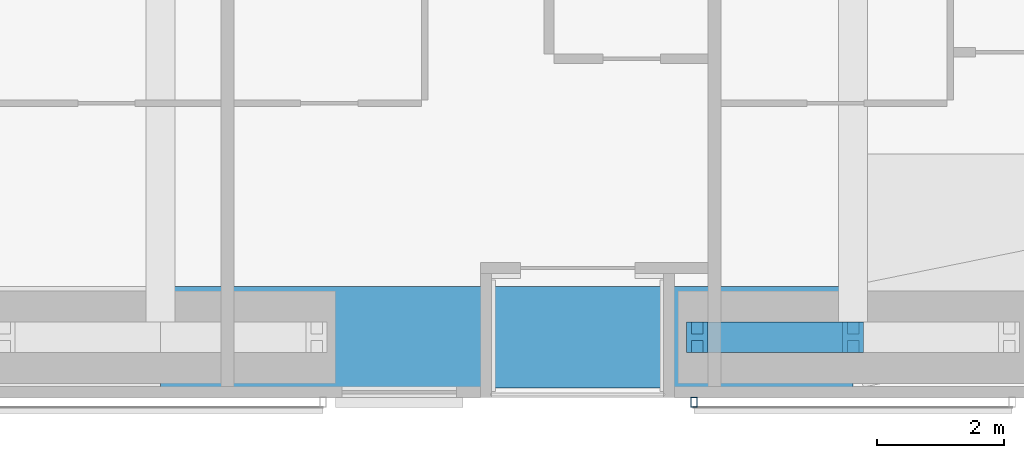
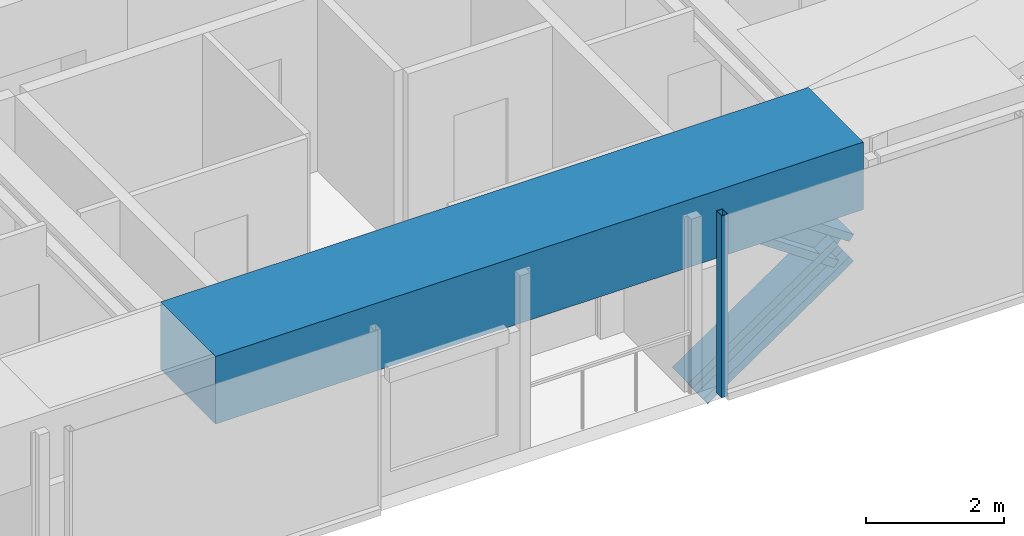
# One storey, part 6 of 25: 3 members, 1 beam, 1 element without a shape of its own.
"""IFC4 building model written with IfcOpenShell, lengths in metres."""

from ifc_helpers import new_model, si_unit, direction, frame, origin, origin_2d, place, context, subcontext, project, spatial, rectangle, hollow_rectangle, i_section, extrude, material, material_profile, profile_set, type_object, element, aggregate, save


model = new_model("IFC4")

# Units and contexts
model_context = context("Model", 3, precision=1e-05, world=origin(), true_north=direction((0.0, 1.0)))
body_context = subcontext(model_context, "Body", "Model", "MODEL_VIEW")
ifc_project = project(units=[si_unit("LENGTHUNIT", "METRE"), si_unit("AREAUNIT", "SQUARE_METRE"), si_unit("VOLUMEUNIT", "CUBIC_METRE"), si_unit("PLANEANGLEUNIT", "RADIAN"), si_unit("MASSUNIT", "GRAM", prefix="KILO")], contexts=[model_context])

# Site, building, storey
site_placement = place(None, origin())
site = spatial("IfcSite", under=ifc_project, at=site_placement, CompositionType="ELEMENT")
building_placement = place(site_placement, origin())
building = spatial("IfcBuilding", under=site, at=building_placement, Name="Jalousie Tower", CompositionType="ELEMENT")
storey_placement = place(building_placement, frame((0.0, 0.0, 101.5)))
storey = spatial("IfcBuildingStorey", under=building, at=storey_placement, Name="L27", CompositionType="ELEMENT", Elevation=101.5)

# Members
ifc_material_1 = material(Name="Steel ASTM A992 Grade 50", Category="steel")
ifc_material_profile_1 = material_profile(ifc_material_1, i_section(OverallWidth=0.472412109375, OverallDepth=0.5791015625, WebThickness=0.094970703125, FlangeThickness=0.1298828125, at=origin_2d()), Name="W14X808")
ifc_profile_set_1 = profile_set([ifc_material_profile_1], Name="Steel ASTM A992 Grade 50")
member_type_1 = type_object("IfcMemberType", Name="PERIMETER BRACE W14X808", PredefinedType="BRACE", material=ifc_profile_set_1)
for number, where, z_axis, x_axis, name in (
    (1, (36.175048828125, 0.949951171875, -0.60009765625), (0.825500916831, 0.0, 0.564400776321), (0.0, 1.0, 0.0), "Perimeter brace 04 L27 part 1"),
    (2, (38.625, 0.949951171875, 1.074951171875), (-0.825500916831, 0.0, 0.564400776321), (0.0, -1.0, 0.0), "Perimeter brace 04 L27 part 4"),
):
    element("IfcMember", number, at=place(storey_placement, frame(where, z_axis=z_axis, x_axis=x_axis)), inside=storey, type_object=member_type_1, Name=name, PredefinedType="BRACE", context=body_context, shape_type="SweptSolid", body=[
        extrude(i_section(OverallWidth=0.472412109375, OverallDepth=0.5791015625, WebThickness=0.094970703125, FlangeThickness=0.1298828125, at=origin_2d()), origin(), (0.0, 0.0, 1.0), 2.9677734375),
    ])

# Beam
ifc_material_2 = material(Name="Concrete f'c 40 MPa", Category="concrete")
ifc_material_profile_2 = material_profile(ifc_material_2, rectangle(XDim=1.60009765625, YDim=1.199951171875, at=origin_2d()), Name="RC 1600x1200")
ifc_profile_set_2 = profile_set([ifc_material_profile_2], Name="Concrete f'c 40 MPa")
beam_type = type_object("IfcBeamType", Name="RC BEAM 1600x1200", PredefinedType="BEAM", material=ifc_profile_set_2)
beam_placement = place(storey_placement, frame((27.75, 0.949951171875, 2.75), z_axis=(1.0, 0.0, 0.0), x_axis=(0.0, 1.0, 0.0)))
element("IfcBeam", 3, at=beam_placement, inside=storey, type_object=beam_type, Name="Edge band beam 03-04 under L28", PredefinedType="BEAM", context=body_context, shape_type="SweptSolid", body=[
    extrude(rectangle(XDim=1.60009765625, YDim=1.199951171875, at=origin_2d()), origin(), (0.0, 0.0, 1.0), 10.875),
])

# Curtain wall, member
ifc_material_3 = material(Name="Perforated aluminium sheet", Category="aluminium")
curtain_wall_type = type_object("IfcCurtainWallType", Name="SOLAR SCREEN SS-1", PredefinedType="USERDEFINED", material=ifc_material_3)
curtain_wall_placement = place(storey_placement, origin())
curtain_wall = element("IfcCurtainWall", 4, at=curtain_wall_placement, inside=storey, type_object=curtain_wall_type, Name="Solar screen L27", ObjectType="SOLAR SCREEN SS-1", PredefinedType="USERDEFINED")
ifc_material_4 = material(Name="Steel ASTM A500 Grade C", Category="steel")
ifc_material_profile_3 = material_profile(ifc_material_4, hollow_rectangle(XDim=0.1015625, YDim=0.15234375, WallThickness=0.00634765625, at=origin_2d()), Name="HSS6X4X1/4")
ifc_profile_set_3 = profile_set([ifc_material_profile_3], Name="Steel ASTM A500 Grade C")
member_type_2 = type_object("IfcMemberType", Name="SOLAR SCREEN SS-1 MULLION", PredefinedType="MULLION", material=ifc_profile_set_3)
member_placement = place(storey_placement, frame((36.125, -0.0712890625, -0.1201171875), z_axis=(0.0, 0.0, 1.0), x_axis=(1.0, 0.0, 0.0)))
member = element("IfcMember", 5, at=member_placement, type_object=member_type_2, Name="SS1 post 1", PredefinedType="MULLION", context=body_context, shape_type="SweptSolid", body=[
    extrude(hollow_rectangle(XDim=0.1015625, YDim=0.15234375, WallThickness=0.00634765625, at=origin_2d()), origin(), (0.0, 0.0, 1.0), 3.230224609375),
])
aggregate(curtain_wall, [member])

save(model, "model.ifc")
